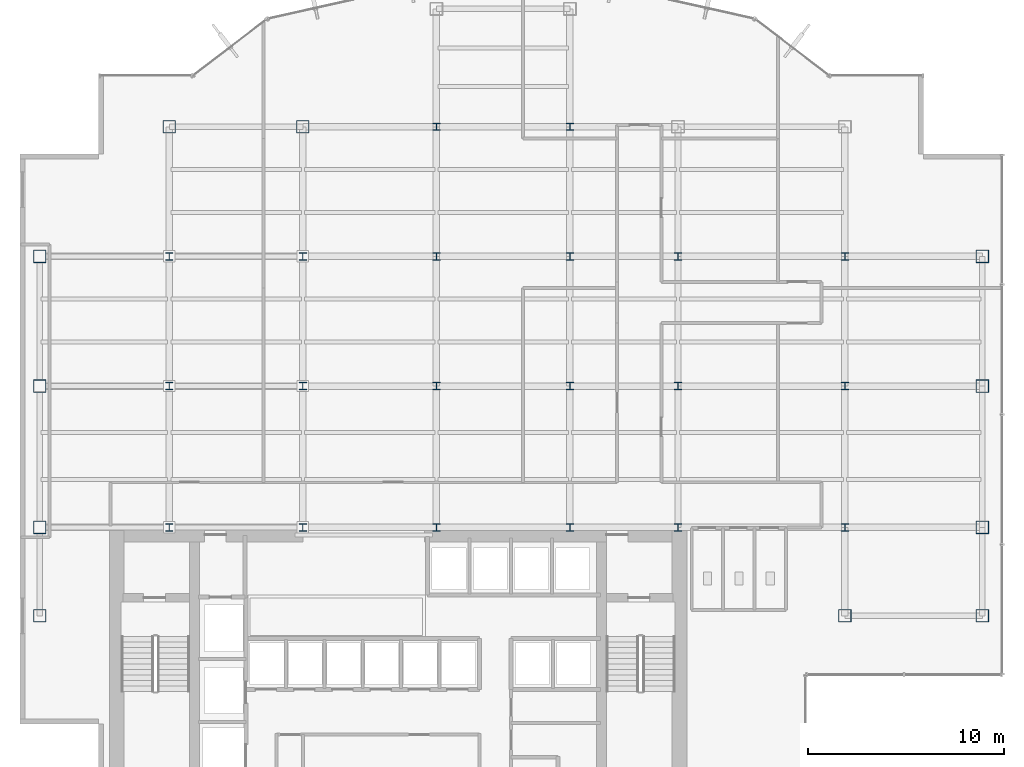
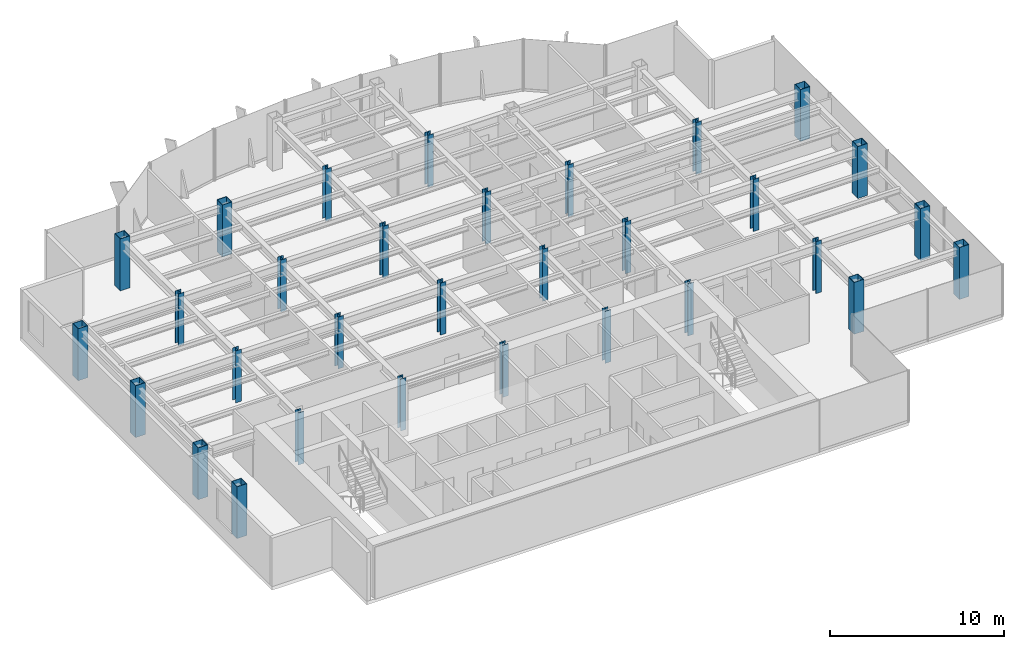
# One storey, part 1 of 19: 31 columns.
"""IFC4 building model written with IfcOpenShell, lengths in metres."""

from ifc_helpers import new_model, si_unit, derived_unit, direction, frame, origin, origin_2d, place, context, subcontext, project, spatial, hollow_rectangle, i_section, extrude, source, transform, mapped, material, material_profile, profile_set, type_object, element, save


model = new_model("IFC4")

# Units and contexts
model_context = context("Model", 3, precision=1e-05, world=origin(), true_north=direction((0.0, 1.0)))
body_context = subcontext(model_context, "Body", "Model", "MODEL_VIEW")
ifc_project = project(units=[si_unit("LENGTHUNIT", "METRE"), si_unit("AREAUNIT", "SQUARE_METRE"), si_unit("VOLUMEUNIT", "CUBIC_METRE"), si_unit("PLANEANGLEUNIT", "RADIAN"), si_unit("MASSUNIT", "GRAM", prefix="KILO"), derived_unit("THERMALTRANSMITTANCEUNIT", [(si_unit("POWERUNIT", "WATT"), 1), (si_unit("LENGTHUNIT", "METRE"), -2), (si_unit("THERMODYNAMICTEMPERATUREUNIT", "KELVIN"), -1)])], contexts=[model_context])

# Site, building, storey
site_placement = place(None, origin())
site = spatial("IfcSite", under=ifc_project, at=site_placement, CompositionType="ELEMENT")
building_placement = place(site_placement, origin())
building = spatial("IfcBuilding", under=site, at=building_placement, Name="Skarnbrae Concourse Arena and Tower", CompositionType="ELEMENT")
storey_placement = place(building_placement, frame((0.0, 0.0, 180.75)))
storey = spatial("IfcBuildingStorey", under=building, at=storey_placement, Name="L46", CompositionType="ELEMENT", Elevation=180.75)

# Columns
ifc_material = material(Name="Steel CSA G40.21 350W", Category="steel")
ifc_material_profile_1 = material_profile(ifc_material, hollow_rectangle(XDim=0.64990234375, YDim=0.64990234375, WallThickness=0.031982421875, at=origin_2d()), Name="BOX650X650X32")
ifc_profile_set_1 = profile_set([ifc_material_profile_1], Name="Steel CSA G40.21 350W")
column_type_1 = type_object("IfcColumnType", Name="COL-TUBE-BOX650", PredefinedType="COLUMN", material=ifc_profile_set_1)
shared_shape_1 = source(origin(), body_context, "Body", "SweptSolid", [
    extrude(hollow_rectangle(XDim=0.64990234375, YDim=0.64990234375, WallThickness=0.031982421875, at=origin_2d()), origin(), (0.0, 0.0, 1.0), 3.64990234375),
])
for number, where, z_axis, x_axis, name in (
    (1, (1.0, 9.5, 0.0), (0.0, 0.0, 1.0), (1.0, 0.0, 0.0), "L46 Tower column PC_01_01"),
    (2, (1.0, 14.0, 0.0), (0.0, 0.0, 1.0), (1.0, 0.0, 0.0), "L46 Tower column PC_01_02"),
    (3, (1.0, 21.199951171875, 0.0), (0.0, 0.0, 1.0), (1.0, 0.0, 0.0), "L46 Tower column PC_01_03"),
    (4, (1.0, 27.800048828125, 0.0), (0.0, 0.0, 1.0), (1.0, 0.0, 0.0), "L46 Tower column PC_01_04"),
    (5, (7.60009765625, 34.39990234375, 0.0), (0.0, 0.0, 1.0), (1.0, 0.0, 0.0), "L46 Tower column PC_02_05"),
    (6, (14.39990234375, 34.39990234375, 0.0), (0.0, 0.0, 1.0), (1.0, 0.0, 0.0), "L46 Tower column PC_03_05"),
    (7, (42.0, 9.5, 0.0), (0.0, 0.0, 1.0), (1.0, 0.0, 0.0), "L46 Tower column PC_07_01"),
    (8, (49.0, 9.5, 0.0), (0.0, 0.0, 1.0), (1.0, 0.0, 0.0), "L46 Tower column PC_08_01"),
    (9, (49.0, 14.0, 0.0), (0.0, 0.0, 1.0), (1.0, 0.0, 0.0), "L46 Tower column PC_08_02"),
    (10, (49.0, 21.199951171875, 0.0), (0.0, 0.0, 1.0), (1.0, 0.0, 0.0), "L46 Tower column PC_08_03"),
    (11, (49.0, 27.800048828125, 0.0), (0.0, 0.0, 1.0), (1.0, 0.0, 0.0), "L46 Tower column PC_08_04"),
):
    element("IfcColumn", number, at=place(storey_placement, frame(where, z_axis=z_axis, x_axis=x_axis)), inside=storey, type_object=column_type_1, Name=name, PredefinedType="COLUMN", context=body_context, shape_type="MappedRepresentation", body=[
        mapped(shared_shape_1, transform((0.0, 0.0, 0.0))),
    ])
ifc_material_profile_2 = material_profile(ifc_material, i_section(OverallWidth=0.3740234375, OverallDepth=0.3720703125, WebThickness=0.016357421875, FlangeThickness=0.026123046875, at=origin_2d()), Name="W360X196")
ifc_profile_set_2 = profile_set([ifc_material_profile_2], Name="Steel CSA G40.21 350W")
column_type_2 = type_object("IfcColumnType", Name="COL-INT-W360X196", PredefinedType="COLUMN", material=ifc_profile_set_2)
shared_shape_2 = source(origin(), body_context, "Body", "SweptSolid", [
    extrude(i_section(OverallWidth=0.3740234375, OverallDepth=0.3720703125, WebThickness=0.016357421875, FlangeThickness=0.026123046875, at=origin_2d()), origin(), (0.0, 0.0, 1.0), 3.64990234375),
])
for number, where, z_axis, x_axis, name in (
    (12, (7.60009765625, 14.0, 0.0), (0.0, 0.0, 1.0), (1.0, 0.0, 0.0), "L46 Tower column IC_02_02"),
    (13, (7.60009765625, 21.199951171875, 0.0), (0.0, 0.0, 1.0), (1.0, 0.0, 0.0), "L46 Tower column IC_02_03"),
    (14, (7.60009765625, 27.800048828125, 0.0), (0.0, 0.0, 1.0), (1.0, 0.0, 0.0), "L46 Tower column IC_02_04"),
    (15, (14.39990234375, 14.0, 0.0), (0.0, 0.0, 1.0), (1.0, 0.0, 0.0), "L46 Tower column IC_03_02"),
    (16, (14.39990234375, 21.199951171875, 0.0), (0.0, 0.0, 1.0), (1.0, 0.0, 0.0), "L46 Tower column IC_03_03"),
    (17, (14.39990234375, 27.800048828125, 0.0), (0.0, 0.0, 1.0), (1.0, 0.0, 0.0), "L46 Tower column IC_03_04"),
    (18, (21.199951171875, 14.0, 0.0), (0.0, 0.0, 1.0), (1.0, 0.0, 0.0), "L46 Tower column IC_04_02"),
    (19, (21.199951171875, 21.199951171875, 0.0), (0.0, 0.0, 1.0), (1.0, 0.0, 0.0), "L46 Tower column IC_04_03"),
    (20, (21.199951171875, 27.800048828125, 0.0), (0.0, 0.0, 1.0), (1.0, 0.0, 0.0), "L46 Tower column IC_04_04"),
    (21, (21.199951171875, 34.39990234375, 0.0), (0.0, 0.0, 1.0), (1.0, 0.0, 0.0), "L46 Tower column IC_04_05"),
    (22, (28.0, 14.0, 0.0), (0.0, 0.0, 1.0), (1.0, 0.0, 0.0), "L46 Tower column IC_05_02"),
    (23, (28.0, 21.199951171875, 0.0), (0.0, 0.0, 1.0), (1.0, 0.0, 0.0), "L46 Tower column IC_05_03"),
    (24, (28.0, 27.800048828125, 0.0), (0.0, 0.0, 1.0), (1.0, 0.0, 0.0), "L46 Tower column IC_05_04"),
    (25, (28.0, 34.39990234375, 0.0), (0.0, 0.0, 1.0), (1.0, 0.0, 0.0), "L46 Tower column IC_05_05"),
    (26, (33.5, 14.0, 0.0), (0.0, 0.0, 1.0), (1.0, 0.0, 0.0), "L46 Tower column IC_06_02"),
    (27, (33.5, 21.199951171875, 0.0), (0.0, 0.0, 1.0), (1.0, 0.0, 0.0), "L46 Tower column IC_06_03"),
    (28, (33.5, 27.800048828125, 0.0), (0.0, 0.0, 1.0), (1.0, 0.0, 0.0), "L46 Tower column IC_06_04"),
    (29, (42.0, 14.0, 0.0), (0.0, 0.0, 1.0), (1.0, 0.0, 0.0), "L46 Tower column IC_07_02"),
    (30, (42.0, 21.199951171875, 0.0), (0.0, 0.0, 1.0), (1.0, 0.0, 0.0), "L46 Tower column IC_07_03"),
    (31, (42.0, 27.800048828125, 0.0), (0.0, 0.0, 1.0), (1.0, 0.0, 0.0), "L46 Tower column IC_07_04"),
):
    element("IfcColumn", number, at=place(storey_placement, frame(where, z_axis=z_axis, x_axis=x_axis)), inside=storey, type_object=column_type_2, Name=name, PredefinedType="COLUMN", context=body_context, shape_type="MappedRepresentation", body=[
        mapped(shared_shape_2, transform((0.0, 0.0, 0.0))),
    ])

save(model, "model.ifc")
